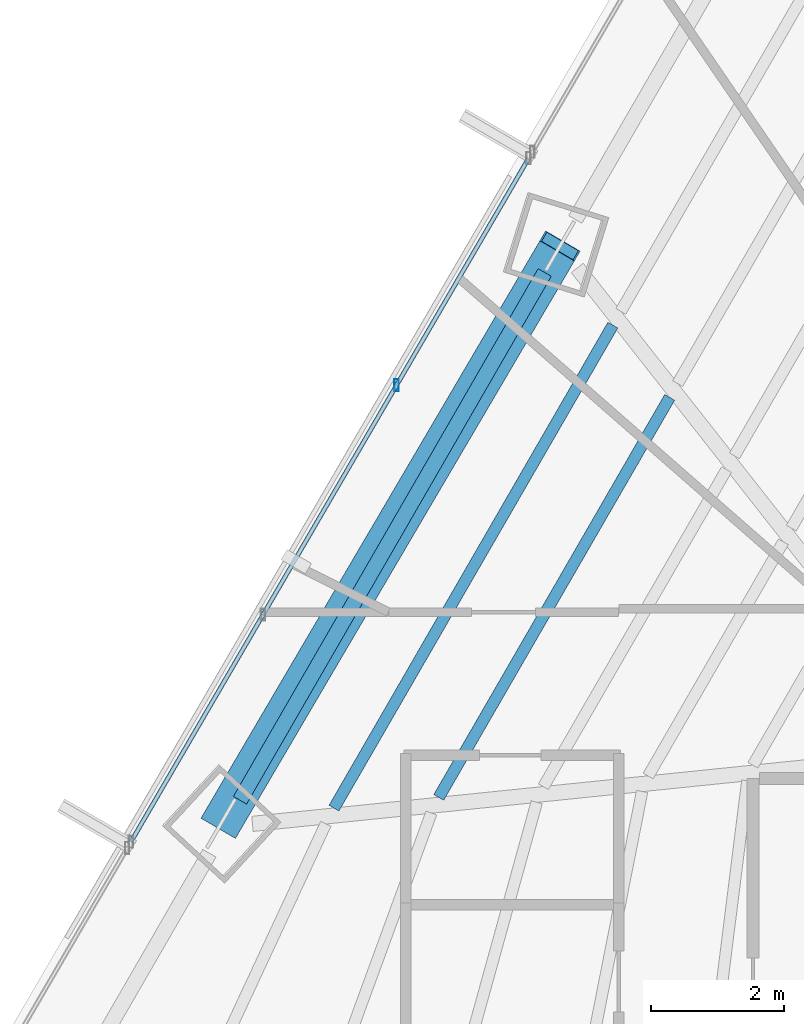
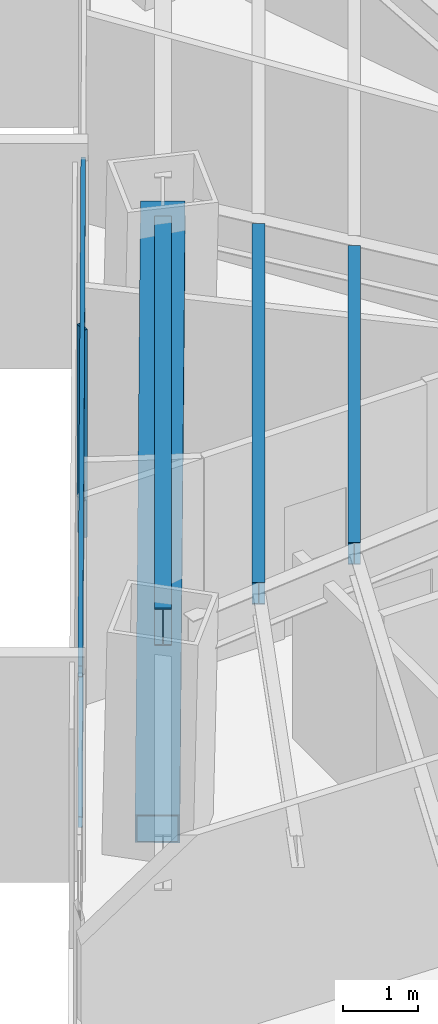
# One storey, part 14 of 36: 4 members, 3 beams, 1 element without a shape of its own.
"""IFC4 building model written with IfcOpenShell, lengths in metres."""

from ifc_helpers import new_model, si_unit, direction, frame, origin, origin_2d, place, context, subcontext, project, spatial, hollow_rectangle, i_section, extrude, source, transform, mapped, material, material_profile, profile_set, type_object, type_shapes, element, aggregate, save


model = new_model("IFC4")

# Units and contexts
model_context = context("Model", 3, precision=1e-05, world=origin(), true_north=direction((0.0, 1.0)))
body_context = subcontext(model_context, "Body", "Model", "MODEL_VIEW")
ifc_project = project(units=[si_unit("LENGTHUNIT", "METRE"), si_unit("AREAUNIT", "SQUARE_METRE"), si_unit("VOLUMEUNIT", "CUBIC_METRE"), si_unit("PLANEANGLEUNIT", "RADIAN"), si_unit("MASSUNIT", "GRAM", prefix="KILO")], contexts=[model_context])

# Site, building, storey
site_placement = place(None, origin())
site = spatial("IfcSite", under=ifc_project, at=site_placement, CompositionType="ELEMENT")
building_placement = place(site_placement, origin())
building = spatial("IfcBuilding", under=site, at=building_placement, Name="Caelisora Broadcast Tower", CompositionType="ELEMENT")
storey_placement = place(building_placement, frame((0.0, 0.0, 60.449951171875)))
storey = spatial("IfcBuildingStorey", under=building, at=storey_placement, Name="L15", CompositionType="ELEMENT", Elevation=60.449951171875)

# Beams
ifc_material_1 = material(Name="Steel Grade 350 (AS/NZS 3679.1)", Category="steel")
ifc_material_profile_1 = material_profile(ifc_material_1, i_section(OverallWidth=0.22900390625, OverallDepth=0.611572265625, WebThickness=0.011962890625, FlangeThickness=0.01953125, at=origin_2d()), Name="Steel Grade 350 (AS/NZS 3679.1)")
ifc_profile_set_1 = profile_set([ifc_material_profile_1], Name="Steel Grade 350 (AS/NZS 3679.1)")
beam_type_1 = type_object("IfcBeamType", Name="PG03", PredefinedType="BEAM", material=ifc_profile_set_1)
shared_shape_1 = source(origin(), body_context, "Body", "SweptSolid", [
    extrude(i_section(OverallWidth=0.22900390625, OverallDepth=0.611572265625, WebThickness=0.011962890625, FlangeThickness=0.01953125, at=origin_2d()), origin(), (0.0, 0.0, 1.0), 9.16259765625),
])
type_shapes(beam_type_1, [shared_shape_1])
beam_1_placement = place(storey_placement, frame((24.2890625, 37.2060546875, 3.09423828125), z_axis=(-0.499999231632, -0.866025847402, 0.0), x_axis=(0.866025847402, -0.499999231632, 0.0)))
element("IfcBeam", 1, at=beam_1_placement, inside=storey, type_object=beam_type_1, Name="L15 beam PG03", PredefinedType="BEAM", context=body_context, shape_type="MappedRepresentation", body=[
    mapped(shared_shape_1, transform((0.0, 0.0, 0.0), scale=1.0)),
])
ifc_material_profile_2 = material_profile(ifc_material_1, i_section(OverallWidth=0.172119140625, OverallDepth=0.358642578125, WebThickness=0.008056640625, FlangeThickness=0.012939453125, at=origin_2d()), Name="Steel Grade 350 (AS/NZS 3679.1)")
ifc_profile_set_2 = profile_set([ifc_material_profile_2], Name="Steel Grade 350 (AS/NZS 3679.1)")
beam_type_2 = type_object("IfcBeamType", Name="SB02", PredefinedType="JOIST", material=ifc_profile_set_2)
shared_shape_2 = source(origin(), body_context, "Body", "SweptSolid", [
    extrude(i_section(OverallWidth=0.172119140625, OverallDepth=0.358642578125, WebThickness=0.008056640625, FlangeThickness=0.012939453125, at=origin_2d()), origin(), (0.0, 0.0, 1.0), 6.9443359375),
])
beam_2_placement = place(storey_placement, frame((26.16796875, 35.327880859375, 3.220703125), z_axis=(-0.500003449404, -0.866023412261, 0.0), x_axis=(0.866023412261, -0.500003449404, 0.0)))
element("IfcBeam", 2, at=beam_2_placement, inside=storey, type_object=beam_type_2, Name="L15 beam SB02", PredefinedType="JOIST", context=body_context, shape_type="MappedRepresentation", body=[
    mapped(shared_shape_2, transform((0.0, 0.0, 0.0), scale=1.0)),
])
shared_shape_3 = source(origin(), body_context, "Body", "SweptSolid", [
    extrude(i_section(OverallWidth=0.172119140625, OverallDepth=0.358642578125, WebThickness=0.008056640625, FlangeThickness=0.012939453125, at=origin_2d()), origin(), (0.0, 0.0, 1.0), 8.385009765625),
])
type_shapes(beam_type_2, [shared_shape_2, shared_shape_3])
beam_3_placement = place(storey_placement, frame((25.313720703125, 36.414306640625, 3.220703125), z_axis=(-0.500019019051, -0.866014422852, 0.0), x_axis=(0.866014422852, -0.500019019051, 0.0)))
element("IfcBeam", 3, at=beam_3_placement, inside=storey, type_object=beam_type_2, Name="L15 beam SB02", PredefinedType="JOIST", context=body_context, shape_type="MappedRepresentation", body=[
    mapped(shared_shape_3, transform((0.0, 0.0, 0.0), scale=1.0)),
])

# Member
ifc_material_2 = material(Name="Steel Grade 450 L15 (AS/NZS 3678)", Category="steel")
ifc_material_profile_3 = material_profile(ifc_material_2, hollow_rectangle(XDim=0.60009765625, YDim=0.60009765625, WallThickness=0.02490234375, at=origin_2d()), Name="Steel Grade 450 L15 (AS/NZS 3678)")
ifc_profile_set_3 = profile_set([ifc_material_profile_3], Name="Steel Grade 450 L15 (AS/NZS 3678)")
member_type_1 = type_object("IfcMemberType", Name="BR01", PredefinedType="BRACE", material=ifc_profile_set_3)
shared_shape_4 = source(origin(), body_context, "Body", "SweptSolid", [
    extrude(hollow_rectangle(XDim=0.60009765625, YDim=0.60009765625, WallThickness=0.02490234375, at=origin_2d()), origin(), (0.0, 0.0, 1.0), 10.504150390625),
])
type_shapes(member_type_1, [shared_shape_4])
member_1_placement = place(storey_placement, frame((24.51904296875, 37.6044921875, 3.10009765625), z_axis=(-0.485113528576, -0.826496601962, -0.285601525447), x_axis=(0.862417625127, -0.506197431711, 0.0)))
element("IfcMember", 4, at=member_1_placement, inside=storey, type_object=member_type_1, Name="L15 perimeter brace BR01", PredefinedType="BRACE", context=body_context, shape_type="MappedRepresentation", body=[
    mapped(shared_shape_4, transform((0.0, 0.0, 0.0), scale=1.0)),
])

# Curtain wall, members
ifc_material_3 = material(Name="Unitised Aluminium Insulated Shadow-Box Spandrel Curtain Wall", Category="aluminium")
curtain_wall_type = type_object("IfcCurtainWallType", Name="CW-SP1", PredefinedType="NOTDEFINED", material=ifc_material_3)
curtain_wall_placement = place(storey_placement, origin())
curtain_wall = element("IfcCurtainWall", 5, at=curtain_wall_placement, inside=storey, type_object=curtain_wall_type, Name="L15 curtain wall CW-SP1", PredefinedType="NOTDEFINED")
ifc_material_4 = material(Name="Aluminium 6063-T6 Anodised Terracotta Bronze", Category="aluminium")
ifc_material_profile_4 = material_profile(ifc_material_4, hollow_rectangle(XDim=0.06494140625, YDim=0.179931640625, WallThickness=0.00341796875, at=origin_2d()), Name="Aluminium 6063-T6 Anodised Terracotta Bronze")
ifc_profile_set_4 = profile_set([ifc_material_profile_4], Name="Aluminium 6063-T6 Anodised Terracotta Bronze")
member_type_2 = type_object("IfcMemberType", Name="CWM-02", PredefinedType="MULLION", material=ifc_profile_set_4)
shared_shape_5 = source(origin(), body_context, "Body", "SweptSolid", [
    extrude(hollow_rectangle(XDim=0.06494140625, YDim=0.179931640625, WallThickness=0.00341796875, at=origin_2d()), origin(), (0.0, 0.0, 1.0), 3.400146484375),
])
type_shapes(member_type_2, [shared_shape_5])
member_2_placement = place(storey_placement, frame((22.06298828125, 35.512451171875, 0.0), z_axis=(0.0, 0.0, 1.0), x_axis=(1.0, 0.0, 0.0)))
member_2 = element("IfcMember", 6, at=member_2_placement, type_object=member_type_2, Name="L15-CW-B10 mullion #2", PredefinedType="MULLION", context=body_context, shape_type="MappedRepresentation", body=[
    mapped(shared_shape_5, transform((0.0, 0.0, 0.0), scale=1.0)),
])
ifc_material_profile_5 = material_profile(ifc_material_4, hollow_rectangle(XDim=0.06494140625, YDim=0.179931640625, WallThickness=0.00341796875, at=origin_2d()), Name="Aluminium 6063-T6 Anodised Terracotta Bronze")
ifc_profile_set_5 = profile_set([ifc_material_profile_5], Name="Aluminium 6063-T6 Anodised Terracotta Bronze")
member_type_3 = type_object("IfcMemberType", Name="CWT-01", PredefinedType="USERDEFINED", material=ifc_profile_set_5)
shared_shape_6 = source(origin(), body_context, "Body", "SweptSolid", [
    extrude(hollow_rectangle(XDim=0.06494140625, YDim=0.179931640625, WallThickness=0.00341796875, at=origin_2d()), origin(), (0.0, 0.0, 1.0), 11.889892578125),
])
type_shapes(member_type_3, [shared_shape_6])
member_3_placement = place(storey_placement, frame((18.068603515625, 28.646728515625, 0.85009765625), z_axis=(0.502883816153, 0.864354017433, 0.0), x_axis=(-0.864354017433, 0.502883816153, 0.0)))
member_3 = element("IfcMember", 7, at=member_3_placement, type_object=member_type_3, Name="L15-CW-B10 transom #1", ObjectType="TRANSOM", PredefinedType="USERDEFINED", context=body_context, shape_type="MappedRepresentation", body=[
    mapped(shared_shape_6, transform((0.0, 0.0, 0.0), scale=1.0)),
])
member_4_placement = place(storey_placement, frame((18.068603515625, 28.646728515625, 3.320068359375), z_axis=(0.502883816153, 0.864354017433, 0.0), x_axis=(-0.864354017433, 0.502883816153, 0.0)))
member_4 = element("IfcMember", 8, at=member_4_placement, type_object=member_type_3, Name="L15-CW-B10 transom #2", ObjectType="TRANSOM", PredefinedType="USERDEFINED", context=body_context, shape_type="MappedRepresentation", body=[
    mapped(shared_shape_6, transform((0.0, 0.0, 0.0), scale=1.0)),
])
aggregate(curtain_wall, [member_2, member_3, member_4])

save(model, "model.ifc")
